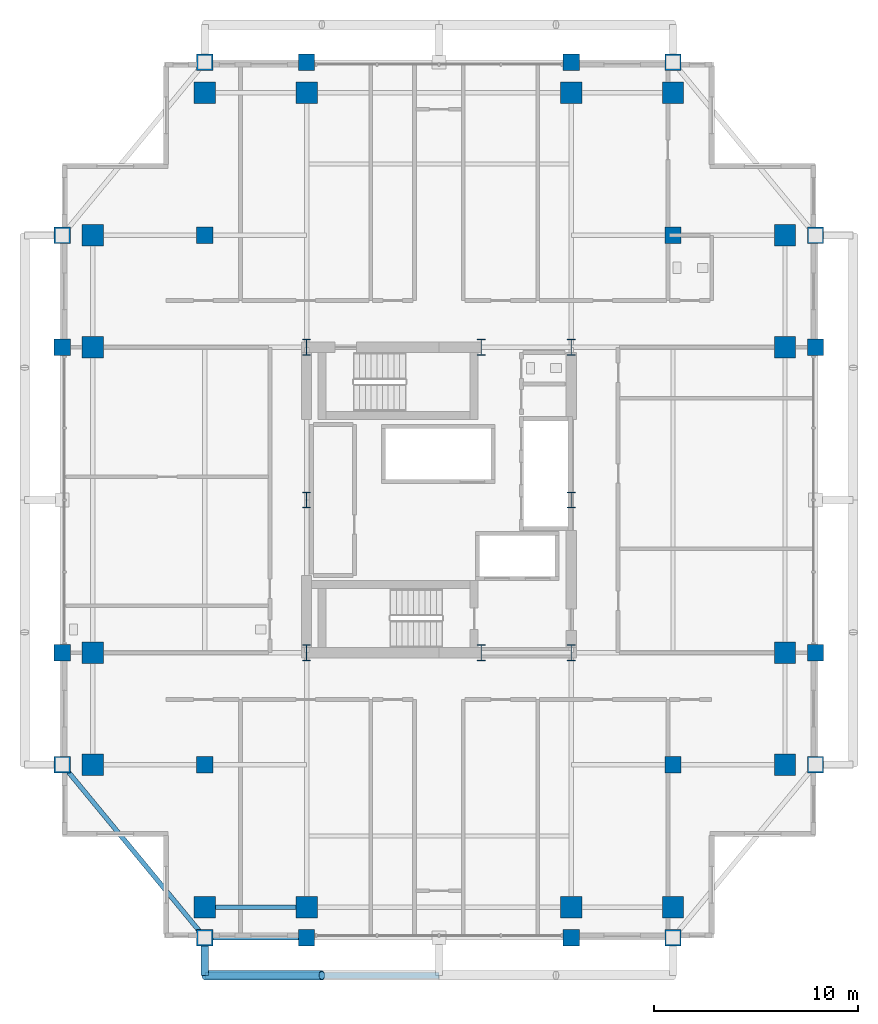
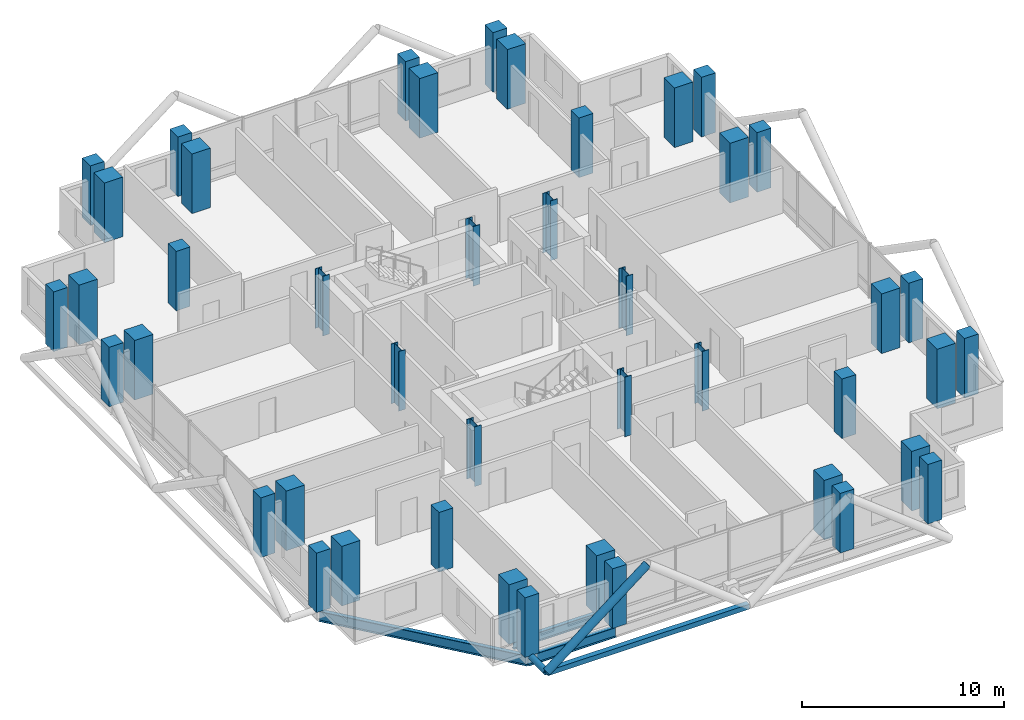
# One storey, part 1 of 25: 44 columns, 3 beams, 3 members.
"""IFC4 building model written with IfcOpenShell, lengths in metres."""

from ifc_helpers import new_model, si_unit, direction, frame, origin, origin_2d, place, context, subcontext, project, spatial, rectangle, hollow_rectangle, hollow_circle, i_section, extrude, material, material_profile, profile_set, type_object, element, save


model = new_model("IFC4")

# Units and contexts
model_context = context("Model", 3, precision=1e-05, world=origin(), true_north=direction((0.0, 1.0)))
body_context = subcontext(model_context, "Body", "Model", "MODEL_VIEW")
ifc_project = project(units=[si_unit("LENGTHUNIT", "METRE"), si_unit("AREAUNIT", "SQUARE_METRE"), si_unit("VOLUMEUNIT", "CUBIC_METRE"), si_unit("PLANEANGLEUNIT", "RADIAN"), si_unit("MASSUNIT", "GRAM", prefix="KILO")], contexts=[model_context])

# Site, building, storey
site_placement = place(None, origin())
site = spatial("IfcSite", under=ifc_project, at=site_placement, CompositionType="ELEMENT")
building_placement = place(site_placement, origin())
building = spatial("IfcBuilding", under=site, at=building_placement, Name="Barlavira Tower and Art Museum", CompositionType="ELEMENT")
storey_placement = place(building_placement, frame((0.0, 0.0, 208.800048828125)))
storey = spatial("IfcBuildingStorey", under=building, at=storey_placement, Name="L54", CompositionType="ELEMENT", Elevation=208.800048828125)

# Columns
ifc_material_1 = material(Name="Steel S355", Category="steel")
ifc_material_profile_1 = material_profile(ifc_material_1, i_section(OverallWidth=0.382080078125, OverallDepth=0.785888671875, WebThickness=0.02001953125, FlangeThickness=0.032958984375, at=origin_2d()), Name="W760x314.0")
ifc_profile_set_1 = profile_set([ifc_material_profile_1], Name="Steel S355")
column_type_1 = type_object("IfcColumnType", Name="Core Composite Column W760x314 Steel S355", PredefinedType="COLUMN", material=ifc_profile_set_1)
for number, where, z_axis, x_axis, name in (
    (1, (-6.5, -7.5, 0.0), (0.0, 0.0, 1.0), (1.0, 0.0, 0.0), "L54 Column CC-L54-C1"),
    (2, (2.080078125, -7.5, 0.0), (0.0, 0.0, 1.0), (1.0, 0.0, 0.0), "L54 Column CC-L54-C2"),
    (3, (6.5, -7.5, 0.0), (0.0, 0.0, 1.0), (1.0, 0.0, 0.0), "L54 Column CC-L54-C3"),
    (4, (-6.5, 0.0, 0.0), (0.0, 0.0, 1.0), (1.0, 0.0, 0.0), "L54 Column CC-L54-C4"),
    (5, (6.5, 0.0, 0.0), (0.0, 0.0, 1.0), (1.0, 0.0, 0.0), "L54 Column CC-L54-C5"),
    (6, (-6.5, 7.5, 0.0), (0.0, 0.0, 1.0), (1.0, 0.0, 0.0), "L54 Column CC-L54-C6"),
    (7, (2.080078125, 7.5, 0.0), (0.0, 0.0, 1.0), (1.0, 0.0, 0.0), "L54 Column CC-L54-C7"),
    (8, (6.5, 7.5, 0.0), (0.0, 0.0, 1.0), (1.0, 0.0, 0.0), "L54 Column CC-L54-C8"),
):
    element("IfcColumn", number, at=place(storey_placement, frame(where, z_axis=z_axis, x_axis=x_axis)), inside=storey, type_object=column_type_1, Name=name, PredefinedType="COLUMN", context=body_context, shape_type="SweptSolid", body=[
        extrude(i_section(OverallWidth=0.382080078125, OverallDepth=0.785888671875, WebThickness=0.02001953125, FlangeThickness=0.032958984375, at=origin_2d()), origin(), (0.0, 0.0, 1.0), 3.599853515625),
    ])
ifc_material_2 = material(Name="Concrete C55", Category="concrete")
ifc_material_profile_2 = material_profile(ifc_material_2, rectangle(XDim=1.050048828125, YDim=1.050048828125, at=origin_2d()), Name="RC-COL 1050x1050")
ifc_profile_set_2 = profile_set([ifc_material_profile_2], Name="Concrete C55")
column_type_2 = type_object("IfcColumnType", Name="Perimeter Mega Column 1050x1050 Concrete C55", PredefinedType="USERDEFINED", material=ifc_profile_set_2)
for number, where, z_axis, x_axis, name in (
    (9, (-11.5, -20.0, 0.0), (0.0, 0.0, 1.0), (1.0, 0.0, 0.0), "L54 Column MC-L54-M01"),
    (10, (-6.5, -20.0, 0.0), (0.0, 0.0, 1.0), (1.0, 0.0, 0.0), "L54 Column MC-L54-M02"),
    (11, (6.5, -20.0, 0.0), (0.0, 0.0, 1.0), (1.0, 0.0, 0.0), "L54 Column MC-L54-M03"),
    (12, (11.5, -20.0, 0.0), (0.0, 0.0, 1.0), (1.0, 0.0, 0.0), "L54 Column MC-L54-M04"),
    (13, (17.0, -13.0, 0.0), (0.0, 0.0, 1.0), (1.0, 0.0, 0.0), "L54 Column MC-L54-M05"),
    (14, (17.0, -7.5, 0.0), (0.0, 0.0, 1.0), (1.0, 0.0, 0.0), "L54 Column MC-L54-M06"),
    (15, (17.0, 7.5, 0.0), (0.0, 0.0, 1.0), (1.0, 0.0, 0.0), "L54 Column MC-L54-M07"),
    (16, (17.0, 13.0, 0.0), (0.0, 0.0, 1.0), (1.0, 0.0, 0.0), "L54 Column MC-L54-M08"),
    (17, (11.5, 20.0, 0.0), (0.0, 0.0, 1.0), (1.0, 0.0, 0.0), "L54 Column MC-L54-M09"),
    (18, (6.5, 20.0, 0.0), (0.0, 0.0, 1.0), (1.0, 0.0, 0.0), "L54 Column MC-L54-M10"),
    (19, (-6.5, 20.0, 0.0), (0.0, 0.0, 1.0), (1.0, 0.0, 0.0), "L54 Column MC-L54-M11"),
    (20, (-11.5, 20.0, 0.0), (0.0, 0.0, 1.0), (1.0, 0.0, 0.0), "L54 Column MC-L54-M12"),
    (21, (-17.0, 13.0, 0.0), (0.0, 0.0, 1.0), (1.0, 0.0, 0.0), "L54 Column MC-L54-M13"),
    (22, (-17.0, 7.5, 0.0), (0.0, 0.0, 1.0), (1.0, 0.0, 0.0), "L54 Column MC-L54-M14"),
    (23, (-17.0, -7.5, 0.0), (0.0, 0.0, 1.0), (1.0, 0.0, 0.0), "L54 Column MC-L54-M15"),
    (24, (-17.0, -13.0, 0.0), (0.0, 0.0, 1.0), (1.0, 0.0, 0.0), "L54 Column MC-L54-M16"),
):
    element("IfcColumn", number, at=place(storey_placement, frame(where, z_axis=z_axis, x_axis=x_axis)), inside=storey, type_object=column_type_2, Name=name, ObjectType="MEGA COLUMN", PredefinedType="USERDEFINED", context=body_context, shape_type="SweptSolid", body=[
        extrude(rectangle(XDim=1.050048828125, YDim=1.050048828125, at=origin_2d()), origin(), (0.0, 0.0, 1.0), 3.599853515625),
    ])
ifc_material_3 = material(Name="Concrete C50", Category="concrete")
ifc_material_profile_3 = material_profile(ifc_material_3, rectangle(XDim=0.800048828125, YDim=0.800048828125, at=origin_2d()), Name="RC-COL 800x800")
ifc_profile_set_3 = profile_set([ifc_material_profile_3], Name="Concrete C50")
column_type_3 = type_object("IfcColumnType", Name="Podium Frame Column 800x800 Concrete C50", PredefinedType="COLUMN", material=ifc_profile_set_3)
for number, where, z_axis, x_axis, name in (
    (25, (-11.5, -13.0, 0.0), (0.0, 0.0, 1.0), (1.0, 0.0, 0.0), "L54 Column CI-L54-I1"),
    (26, (11.5, -13.0, 0.0), (0.0, 0.0, 1.0), (1.0, 0.0, 0.0), "L54 Column CI-L54-I2"),
    (27, (-11.5, 13.0, 0.0), (0.0, 0.0, 1.0), (1.0, 0.0, 0.0), "L54 Column CI-L54-I3"),
    (28, (11.5, 13.0, 0.0), (0.0, 0.0, 1.0), (1.0, 0.0, 0.0), "L54 Column CI-L54-I4"),
    (29, (-11.5, -21.5, 0.0), (0.0, 0.0, 1.0), (1.0, 0.0, 0.0), "L54 Column CZ3-L54-N01"),
    (30, (-6.5, -21.5, 0.0), (0.0, 0.0, 1.0), (1.0, 0.0, 0.0), "L54 Column CZ3-L54-N02"),
    (31, (6.5, -21.5, 0.0), (0.0, 0.0, 1.0), (1.0, 0.0, 0.0), "L54 Column CZ3-L54-N02B"),
    (32, (11.5, -21.5, 0.0), (0.0, 0.0, 1.0), (1.0, 0.0, 0.0), "L54 Column CZ3-L54-N03"),
    (33, (-18.5, -13.0, 0.0), (0.0, 0.0, 1.0), (1.0, 0.0, 0.0), "L54 Column CZ3-L54-N04"),
    (34, (-18.5, -7.5, 0.0), (0.0, 0.0, 1.0), (1.0, 0.0, 0.0), "L54 Column CZ3-L54-N05"),
    (35, (-18.5, 7.5, 0.0), (0.0, 0.0, 1.0), (1.0, 0.0, 0.0), "L54 Column CZ3-L54-N05B"),
    (36, (-18.5, 13.0, 0.0), (0.0, 0.0, 1.0), (1.0, 0.0, 0.0), "L54 Column CZ3-L54-N06"),
    (37, (-11.5, 21.5, 0.0), (0.0, 0.0, 1.0), (1.0, 0.0, 0.0), "L54 Column CZ3-L54-N07"),
    (38, (-6.5, 21.5, 0.0), (0.0, 0.0, 1.0), (1.0, 0.0, 0.0), "L54 Column CZ3-L54-N08"),
    (39, (6.5, 21.5, 0.0), (0.0, 0.0, 1.0), (1.0, 0.0, 0.0), "L54 Column CZ3-L54-N08B"),
    (40, (11.5, 21.5, 0.0), (0.0, 0.0, 1.0), (1.0, 0.0, 0.0), "L54 Column CZ3-L54-N09"),
    (41, (18.5, -13.0, 0.0), (0.0, 0.0, 1.0), (1.0, 0.0, 0.0), "L54 Column CZ3-L54-N10"),
    (42, (18.5, -7.5, 0.0), (0.0, 0.0, 1.0), (1.0, 0.0, 0.0), "L54 Column CZ3-L54-N11"),
    (43, (18.5, 7.5, 0.0), (0.0, 0.0, 1.0), (1.0, 0.0, 0.0), "L54 Column CZ3-L54-N11B"),
    (44, (18.5, 13.0, 0.0), (0.0, 0.0, 1.0), (1.0, 0.0, 0.0), "L54 Column CZ3-L54-N12"),
):
    element("IfcColumn", number, at=place(storey_placement, frame(where, z_axis=z_axis, x_axis=x_axis)), inside=storey, type_object=column_type_3, Name=name, PredefinedType="COLUMN", context=body_context, shape_type="SweptSolid", body=[
        extrude(rectangle(XDim=0.800048828125, YDim=0.800048828125, at=origin_2d()), origin(), (0.0, 0.0, 1.0), 3.599853515625),
    ])

# Members
ifc_material_profile_4 = material_profile(ifc_material_1, hollow_circle(Radius=0.228515625, WallThickness=0.02001953125, at=origin_2d()), Name="CHS 457.0x20.0")
ifc_profile_set_4 = profile_set([ifc_material_profile_4], Name="Steel S355")
member_type_1 = type_object("IfcMemberType", Name="Pale-Metal Exoskeleton Diagrid Tube CHS 457x20 Steel S355", PredefinedType="BRACE", material=ifc_profile_set_4)
member_1_placement = place(storey_placement, frame((-11.5, -23.35009765625, -0.1201171875), z_axis=(0.787505001008, 0.0, 0.616308261658), x_axis=(0.0, 1.0, 0.0)))
element("IfcMember", 45, at=member_1_placement, inside=storey, type_object=member_type_1, Name="L54 Exoskeleton Diagrid Tube S", PredefinedType="BRACE", context=body_context, shape_type="SweptSolid", body=[
    extrude(hollow_circle(Radius=0.228515625, WallThickness=0.02001953125, at=origin_2d()), origin(), (0.0, 0.0, 1.0), 7.301513671875),
])
ifc_material_profile_5 = material_profile(ifc_material_1, hollow_circle(Radius=0.177734375, WallThickness=0.01611328125, at=origin_2d()), Name="CHS 355.6x16.0")
ifc_profile_set_5 = profile_set([ifc_material_profile_5], Name="Steel S355")
member_type_2 = type_object("IfcMemberType", Name="Pale-Metal Exoskeleton Tie Strut CHS 356x16 Steel S355", PredefinedType="STRUT", material=ifc_profile_set_5)
member_2_placement = place(storey_placement, frame((-11.5, -23.35009765625, -0.1201171875), z_axis=(0.0, 1.0, 0.0), x_axis=(-1.0, 0.0, 0.0)))
element("IfcMember", 46, at=member_2_placement, inside=storey, type_object=member_type_2, Name="L54 Exoskeleton Tie Strut S1", PredefinedType="STRUT", context=body_context, shape_type="SweptSolid", body=[
    extrude(hollow_circle(Radius=0.177734375, WallThickness=0.01611328125, at=origin_2d()), origin(), (0.0, 0.0, 1.0), 1.85009765625),
])
ifc_material_profile_6 = material_profile(ifc_material_1, hollow_rectangle(XDim=0.300048828125, YDim=0.300048828125, WallThickness=0.01611328125, at=origin_2d()), Name="SHS 300x300x16.0")
ifc_profile_set_6 = profile_set([ifc_material_profile_6], Name="Steel S355")
member_type_3 = type_object("IfcMemberType", Name="Pale-Metal Upper Ring Strut SHS 300x300x16 Steel S355", PredefinedType="STRUT", material=ifc_profile_set_6)
member_3_placement = place(storey_placement, frame((-11.5, -23.35009765625, -0.1201171875), z_axis=(1.0, 0.0, 0.0), x_axis=(0.0, 1.0, 0.0)))
element("IfcMember", 47, at=member_3_placement, inside=storey, type_object=member_type_3, Name="L54 Exoskeleton Ring Strut S", PredefinedType="STRUT", context=body_context, shape_type="SweptSolid", body=[
    extrude(hollow_rectangle(XDim=0.300048828125, YDim=0.300048828125, WallThickness=0.01611328125, at=origin_2d()), origin(), (0.0, 0.0, 1.0), 11.5),
])

# Beams
ifc_material_profile_7 = material_profile(ifc_material_1, i_section(OverallWidth=0.22998046875, OverallDepth=0.616943359375, WebThickness=0.01318359375, FlangeThickness=0.022216796875, at=origin_2d()), Name="W610x140.0")
ifc_profile_set_7 = profile_set([ifc_material_profile_7], Name="Steel S355")
beam_type_1 = type_object("IfcBeamType", Name="Upper Shaft Spandrel Edge Beam W610x140 Steel S355", PredefinedType="SPANDREL", material=ifc_profile_set_7)
beam_1_placement = place(storey_placement, frame((-11.5, -21.5, -0.528564453125), z_axis=(1.0, 0.0, 0.0), x_axis=(0.0, 1.0, 0.0)))
element("IfcBeam", 48, at=beam_1_placement, inside=storey, type_object=beam_type_1, Name="L54 Spandrel 1", PredefinedType="SPANDREL", context=body_context, shape_type="SweptSolid", body=[
    extrude(i_section(OverallWidth=0.22998046875, OverallDepth=0.616943359375, WebThickness=0.01318359375, FlangeThickness=0.022216796875, at=origin_2d()), origin(), (0.0, 0.0, 1.0), 5.0),
])
beam_2_placement = place(storey_placement, frame((-18.5, -13.0, -0.528564453125), z_axis=(0.635707252861, -0.771930235617, 0.0), x_axis=(0.771930235617, 0.635707252861, 0.0)))
element("IfcBeam", 49, at=beam_2_placement, inside=storey, type_object=beam_type_1, Name="L54 Spandrel 16", PredefinedType="SPANDREL", context=body_context, shape_type="SweptSolid", body=[
    extrude(i_section(OverallWidth=0.22998046875, OverallDepth=0.616943359375, WebThickness=0.01318359375, FlangeThickness=0.022216796875, at=origin_2d()), origin(), (0.0, 0.0, 1.0), 11.011474609375),
])
ifc_material_profile_8 = material_profile(ifc_material_1, i_section(OverallWidth=0.2109375, OverallDepth=0.5390625, WebThickness=0.01171875, FlangeThickness=0.018798828125, at=origin_2d()), Name="W530x109.0")
ifc_profile_set_8 = profile_set([ifc_material_profile_8], Name="Steel S355")
beam_type_2 = type_object("IfcBeamType", Name="Zone 3-4 Primary Floor Girder W530x109 Steel S355", PredefinedType="BEAM", material=ifc_profile_set_8)
beam_3_placement = place(storey_placement, frame((-11.5, -20.0, -0.489501953125), z_axis=(1.0, 0.0, 0.0), x_axis=(0.0, 1.0, 0.0)))
element("IfcBeam", 50, at=beam_3_placement, inside=storey, type_object=beam_type_2, Name="L54 Girder M-S1", PredefinedType="BEAM", context=body_context, shape_type="SweptSolid", body=[
    extrude(i_section(OverallWidth=0.2109375, OverallDepth=0.5390625, WebThickness=0.01171875, FlangeThickness=0.018798828125, at=origin_2d()), origin(), (0.0, 0.0, 1.0), 5.0),
])

save(model, "model.ifc")
